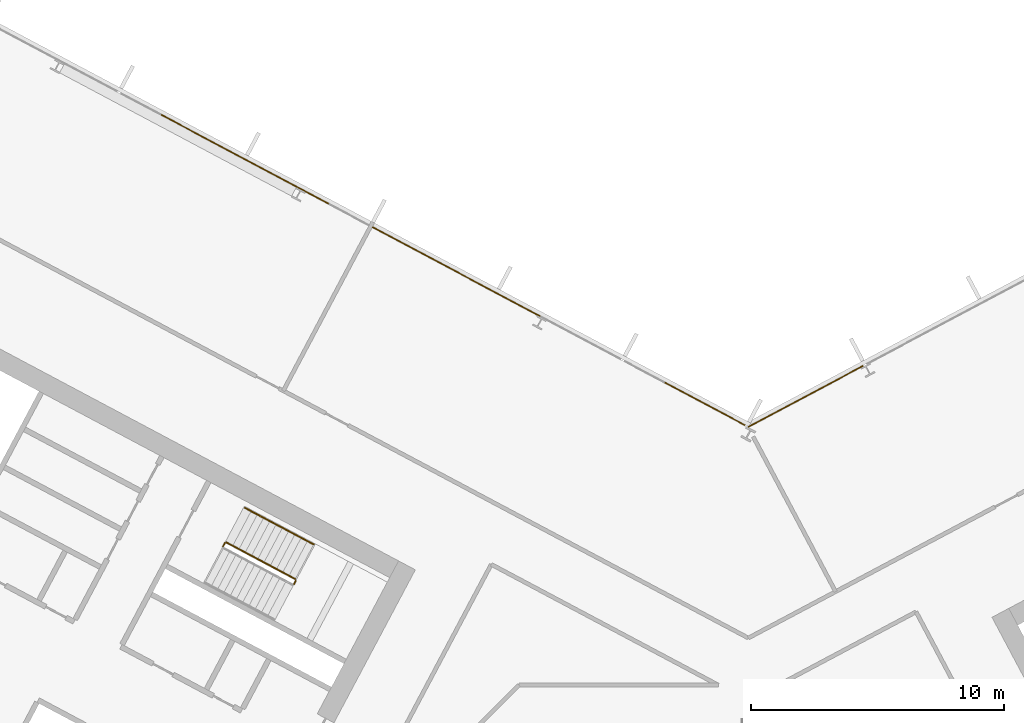
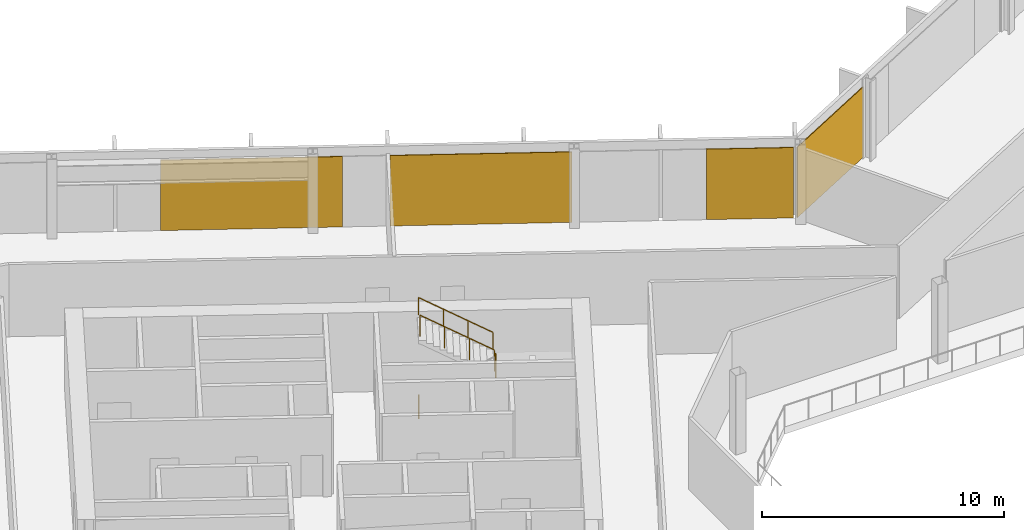
# One storey, part 23 of 28: 4 coverings, 4 railings, 2 elements without a shape of their own.
"""IFC4 building model written with IfcOpenShell, lengths in metres."""

from ifc_helpers import new_model, si_unit, direction, frame, origin, origin_2d, place, context, subcontext, project, spatial, polyline, rectangle, outline, extrude, material, layer, layer_set, type_object, element, aggregate, save


model = new_model("IFC4")

# Units and contexts
model_context = context("Model", 3, precision=1e-05, world=origin(), true_north=direction((0.0, 1.0)))
body_context = subcontext(model_context, "Body", "Model", "MODEL_VIEW")
ifc_project = project(units=[si_unit("LENGTHUNIT", "METRE"), si_unit("AREAUNIT", "SQUARE_METRE"), si_unit("VOLUMEUNIT", "CUBIC_METRE"), si_unit("PLANEANGLEUNIT", "RADIAN"), si_unit("MASSUNIT", "GRAM", prefix="KILO")], contexts=[model_context])

# Site, building, storey
site_placement = place(None, origin())
site = spatial("IfcSite", under=ifc_project, at=site_placement, CompositionType="ELEMENT")
building_placement = place(site_placement, origin())
building = spatial("IfcBuilding", under=site, at=building_placement, Name="Cormorant Relay Tower", CompositionType="ELEMENT")
storey_placement = place(building_placement, frame((0.0, 0.0, 142.199951171875)))
storey = spatial("IfcBuildingStorey", under=building, at=storey_placement, Name="L29", CompositionType="ELEMENT", Elevation=142.199951171875)

# Curtain wall, covering
ifc_material_1 = material(Name="Aluminium 6063-T6 anodised bronze", Category="aluminium")
ifc_layer_1 = layer(ifc_material_1, 0.199951171875)
ifc_layer_set_1 = layer_set([ifc_layer_1], Name="CW1 unitised bronze curtain wall with vertical fins")
curtain_wall_type = type_object("IfcCurtainWallType", Name="CW1 unitised bronze curtain wall with vertical fins", PredefinedType="NOTDEFINED", material=ifc_layer_set_1)
curtain_wall_1_placement = place(storey_placement, origin())
curtain_wall_1 = element("IfcCurtainWall", 1, at=curtain_wall_1_placement, inside=storey, type_object=curtain_wall_type, Name="CW1 curtain wall 8", PredefinedType="NOTDEFINED")
ifc_material_2 = material(Name="Pale bronze anodised aluminium insulated panel", Category="aluminium")
ifc_layer_2 = layer(ifc_material_2, 0.0400390625)
ifc_layer_set_2 = layer_set([ifc_layer_2], Name="CW1 pale bronze insulated panel 40")
covering_type = type_object("IfcCoveringType", Name="CW1 pale bronze insulated panel 40", PredefinedType="CLADDING", material=ifc_layer_set_2)
covering_1_placement = place(storey_placement, frame((2.26611328125, 25.011474609375, 0.0), z_axis=(0.0, 0.0, 1.0), x_axis=(-0.882947592859, -0.469471562786, 0.0)))
covering_1 = element("IfcCovering", 2, at=covering_1_placement, type_object=covering_type, Name="CW1 panel S09", PredefinedType="CLADDING", context=body_context, shape_type="SweptSolid", body=[
    extrude(rectangle(XDim=5.154296875, YDim=0.0400390625, at=origin_2d()), origin(), (0.0, 0.0, 1.0), 3.550048828125),
])
aggregate(curtain_wall_1, [covering_1])

# Curtain wall, coverings
curtain_wall_2_placement = place(storey_placement, origin())
curtain_wall_2 = element("IfcCurtainWall", 3, at=curtain_wall_2_placement, inside=storey, type_object=curtain_wall_type, Name="CW1 curtain wall 9", PredefinedType="NOTDEFINED")
covering_2_placement = place(storey_placement, frame((-1.718505859375, 24.720458984375, 0.0), z_axis=(0.0, 0.0, 1.0), x_axis=(-0.882947592859, 0.469471562786, 0.0)))
covering_2 = element("IfcCovering", 4, at=covering_2_placement, type_object=covering_type, Name="CW1 panel S00", PredefinedType="CLADDING", context=body_context, shape_type="SweptSolid", body=[
    extrude(rectangle(XDim=3.614013671875, YDim=0.0400390625, at=origin_2d()), origin(), (0.0, 0.0, 1.0), 3.550048828125),
])
covering_3_placement = place(storey_placement, frame((-11.537841796875, 29.94140625, 0.0), z_axis=(0.0, 0.0, 1.0), x_axis=(-0.882947592859, 0.469471562786, 0.0)))
covering_3 = element("IfcCovering", 5, at=covering_3_placement, type_object=covering_type, Name="CW1 panel S03", PredefinedType="CLADDING", context=body_context, shape_type="SweptSolid", body=[
    extrude(rectangle(XDim=7.528076171875, YDim=0.0400390625, at=origin_2d()), origin(), (0.0, 0.0, 1.0), 3.550048828125),
])
covering_4_placement = place(storey_placement, frame((-19.906494140625, 34.39111328125, 0.0), z_axis=(0.0, 0.0, 1.0), x_axis=(-0.882947592859, 0.469471562786, 0.0)))
covering_4 = element("IfcCovering", 6, at=covering_4_placement, type_object=covering_type, Name="CW1 panel S05", PredefinedType="CLADDING", context=body_context, shape_type="SweptSolid", body=[
    extrude(rectangle(XDim=7.528076171875, YDim=0.0400390625, at=origin_2d()), origin(), (0.0, 0.0, 1.0), 3.550048828125),
])
aggregate(curtain_wall_2, [covering_2, covering_3, covering_4])

# Railings
ifc_material_3 = material(Name="Steel ASTM A572 Grade 50 (Fy 345 MPa)", Category="steel")
railing_type_1 = type_object("IfcRailingType", Name="Stair guard 1100", PredefinedType="GUARDRAIL", material=ifc_material_3)
railing_1_placement = place(storey_placement, frame((-17.96337890625, 17.592529296875, 2.0)))
element("IfcRailing", 7, at=railing_1_placement, inside=storey, type_object=railing_type_1, Name="L29 A1 stair guard 2", PredefinedType="GUARDRAIL", context=body_context, shape_type="SweptSolid", body=[
    extrude(outline(polyline([(0.022216796875, 0.00927734375), (0.00927734375, 0.022216796875), (-0.00927734375, 0.022216796875), (-0.022216796875, 0.00927734375), (-0.022216796875, -0.00927734375), (-0.00927734375, -0.022216796875), (0.00927734375, -0.022216796875), (0.022216796875, -0.00927734375), (0.022216796875, 0.00927734375)])), frame((0.0, 0.0, 1.076171875), z_axis=(0.46856034887, 0.8834314911, 0.0), x_axis=(-0.8834314911, 0.46856034887, 0.0)), (0.0, 0.0, 1.0), 0.150146484375),
    extrude(outline(polyline([(0.019287109375, 0.008056640625), (0.008056640625, 0.019287109375), (-0.008056640625, 0.019287109375), (-0.019287109375, 0.008056640625), (-0.019287109375, -0.008056640625), (-0.008056640625, -0.019287109375), (0.008056640625, -0.019287109375), (0.019287109375, -0.008056640625), (0.019287109375, 0.008056640625)])), origin(), (0.0, 0.0, 1.0), 1.052001953125),
    extrude(outline(polyline([(0.019287109375, 0.008056640625), (0.008056640625, 0.019287109375), (-0.008056640625, 0.019287109375), (-0.019287109375, 0.008056640625), (-0.019287109375, -0.008056640625), (-0.008056640625, -0.019287109375), (0.008056640625, -0.019287109375), (0.019287109375, -0.008056640625), (0.019287109375, 0.008056640625)])), frame((0.0703125, 0.132568359375, 0.0)), (0.0, 0.0, 1.0), 1.052001953125),
])
railing_2_placement = place(storey_placement, frame((-17.913818359375, 17.792724609375, 2.166748046875)))
element("IfcRailing", 8, at=railing_2_placement, inside=storey, type_object=railing_type_1, Name="L29 A1 stair guard 3", PredefinedType="GUARDRAIL", context=body_context, shape_type="SweptSolid", body=[
    extrude(outline(polyline([(0.022216796875, 0.00927734375), (0.00927734375, 0.022216796875), (-0.00927734375, 0.022216796875), (-0.022216796875, 0.00927734375), (-0.022216796875, -0.00927734375), (-0.00927734375, -0.022216796875), (0.00927734375, -0.022216796875), (0.022216796875, -0.00927734375), (0.022216796875, 0.00927734375)])), frame((0.0, 0.0, 1.076171875), z_axis=(-0.758734504837, 0.403377838015, 0.511476559549), x_axis=(-0.469427602063, -0.882970965786, 0.0)), (0.0, 0.0, 1.0), 3.584228515625),
    extrude(outline(polyline([(0.019287109375, 0.008056640625), (0.008056640625, 0.019287109375), (-0.008056640625, 0.019287109375), (-0.019287109375, 0.008056640625), (-0.019287109375, -0.008056640625), (-0.008056640625, -0.019287109375), (0.008056640625, -0.019287109375), (0.019287109375, -0.008056640625), (0.019287109375, 0.008056640625)])), origin(), (0.0, 0.0, 1.0), 1.052001953125),
    extrude(outline(polyline([(0.019287109375, 0.008056640625), (0.008056640625, 0.019287109375), (-0.008056640625, 0.019287109375), (-0.019287109375, 0.008056640625), (-0.019287109375, -0.008056640625), (-0.008056640625, -0.019287109375), (0.008056640625, -0.019287109375), (0.019287109375, -0.008056640625), (0.019287109375, 0.008056640625)])), frame((-0.906494140625, 0.48193359375, 0.611083984375)), (0.0, 0.0, 1.0), 1.052001953125),
    extrude(outline(polyline([(0.019287109375, 0.008056640625), (0.008056640625, 0.019287109375), (-0.008056640625, 0.019287109375), (-0.019287109375, 0.008056640625), (-0.019287109375, -0.008056640625), (-0.008056640625, -0.019287109375), (0.008056640625, -0.019287109375), (0.019287109375, -0.008056640625), (0.019287109375, 0.008056640625)])), frame((-1.81298828125, 0.9638671875, 1.22216796875)), (0.0, 0.0, 1.0), 1.052001953125),
    extrude(outline(polyline([(0.019287109375, 0.008056640625), (0.008056640625, 0.019287109375), (-0.008056640625, 0.019287109375), (-0.019287109375, 0.008056640625), (-0.019287109375, -0.008056640625), (-0.008056640625, -0.019287109375), (0.008056640625, -0.019287109375), (0.019287109375, -0.008056640625), (0.019287109375, 0.008056640625)])), frame((-2.719482421875, 1.44580078125, 1.833251953125)), (0.0, 0.0, 1.0), 1.052001953125),
])
railing_3_placement = place(storey_placement, frame((-20.771240234375, 19.08544921875, 0.0)))
element("IfcRailing", 9, at=railing_3_placement, inside=storey, type_object=railing_type_1, Name="L29 A1 stair guard 4", PredefinedType="GUARDRAIL", context=body_context, shape_type="SweptSolid", body=[
    extrude(outline(polyline([(0.022216796875, 0.00927734375), (0.00927734375, 0.022216796875), (-0.00927734375, 0.022216796875), (-0.022216796875, 0.00927734375), (-0.022216796875, -0.00927734375), (-0.00927734375, -0.022216796875), (0.00927734375, -0.022216796875), (0.022216796875, -0.00927734375), (0.022216796875, 0.00927734375)])), frame((0.0, 0.0, 1.076171875), z_axis=(0.469828648786, 0.882757634224, 0.0), x_axis=(-0.882757634224, 0.469828648786, 0.0)), (0.0, 0.0, 1.0), 0.150146484375),
    extrude(outline(polyline([(0.019287109375, 0.008056640625), (0.008056640625, 0.019287109375), (-0.008056640625, 0.019287109375), (-0.019287109375, 0.008056640625), (-0.019287109375, -0.008056640625), (-0.008056640625, -0.019287109375), (0.008056640625, -0.019287109375), (0.019287109375, -0.008056640625), (0.019287109375, 0.008056640625)])), origin(), (0.0, 0.0, 1.0), 1.052001953125),
    extrude(outline(polyline([(0.019287109375, 0.008056640625), (0.008056640625, 0.019287109375), (-0.008056640625, 0.019287109375), (-0.019287109375, 0.008056640625), (-0.019287109375, -0.008056640625), (-0.008056640625, -0.019287109375), (0.008056640625, -0.019287109375), (0.019287109375, -0.008056640625), (0.019287109375, 0.008056640625)])), frame((0.070556640625, 0.132568359375, 0.0)), (0.0, 0.0, 1.0), 1.052001953125),
])
ifc_material_4 = material(Name="Steel ASTM A572 Grade 50 (Fy 345 MPa)", Category="steel")
railing_type_2 = type_object("IfcRailingType", Name="Stair handrail 900", PredefinedType="HANDRAIL", material=ifc_material_4)
railing_4_placement = place(storey_placement, frame((-17.18603515625, 19.1611328125, 2.166748046875)))
element("IfcRailing", 10, at=railing_4_placement, inside=storey, type_object=railing_type_2, Name="L29 A1 stair handrail 2", PredefinedType="HANDRAIL", context=body_context, shape_type="SweptSolid", body=[
    extrude(outline(polyline([(0.022216796875, 0.00927734375), (0.00927734375, 0.022216796875), (-0.00927734375, 0.022216796875), (-0.022216796875, 0.00927734375), (-0.022216796875, -0.00927734375), (-0.00927734375, -0.022216796875), (0.00927734375, -0.022216796875), (0.022216796875, -0.00927734375), (0.022216796875, 0.00927734375)])), frame((0.0, 0.0, 0.8759765625), z_axis=(-0.758713656843, 0.403434867536, 0.511462505542), x_axis=(-0.469489399267, -0.882938108802, 0.0)), (0.0, 0.0, 1.0), 3.584228515625),
    extrude(outline(polyline([(0.019287109375, 0.008056640625), (0.008056640625, 0.019287109375), (-0.008056640625, 0.019287109375), (-0.019287109375, 0.008056640625), (-0.019287109375, -0.008056640625), (-0.008056640625, -0.019287109375), (0.008056640625, -0.019287109375), (0.019287109375, -0.008056640625), (0.019287109375, 0.008056640625)])), origin(), (0.0, 0.0, 1.0), 0.851806640625),
    extrude(outline(polyline([(0.019287109375, 0.008056640625), (0.008056640625, 0.019287109375), (-0.008056640625, 0.019287109375), (-0.019287109375, 0.008056640625), (-0.019287109375, -0.008056640625), (-0.008056640625, -0.019287109375), (0.008056640625, -0.019287109375), (0.019287109375, -0.008056640625), (0.019287109375, 0.008056640625)])), frame((-0.906494140625, 0.48193359375, 0.611083984375)), (0.0, 0.0, 1.0), 0.851806640625),
    extrude(outline(polyline([(0.019287109375, 0.008056640625), (0.008056640625, 0.019287109375), (-0.008056640625, 0.019287109375), (-0.019287109375, 0.008056640625), (-0.019287109375, -0.008056640625), (-0.008056640625, -0.019287109375), (0.008056640625, -0.019287109375), (0.019287109375, -0.008056640625), (0.019287109375, 0.008056640625)])), frame((-1.81298828125, 0.964111328125, 1.22216796875)), (0.0, 0.0, 1.0), 0.851806640625),
    extrude(outline(polyline([(0.019287109375, 0.008056640625), (0.008056640625, 0.019287109375), (-0.008056640625, 0.019287109375), (-0.019287109375, 0.008056640625), (-0.019287109375, -0.008056640625), (-0.008056640625, -0.019287109375), (0.008056640625, -0.019287109375), (0.019287109375, -0.008056640625), (0.019287109375, 0.008056640625)])), frame((-2.719482421875, 1.446044921875, 1.833251953125)), (0.0, 0.0, 1.0), 0.851806640625),
])

save(model, "model.ifc")
